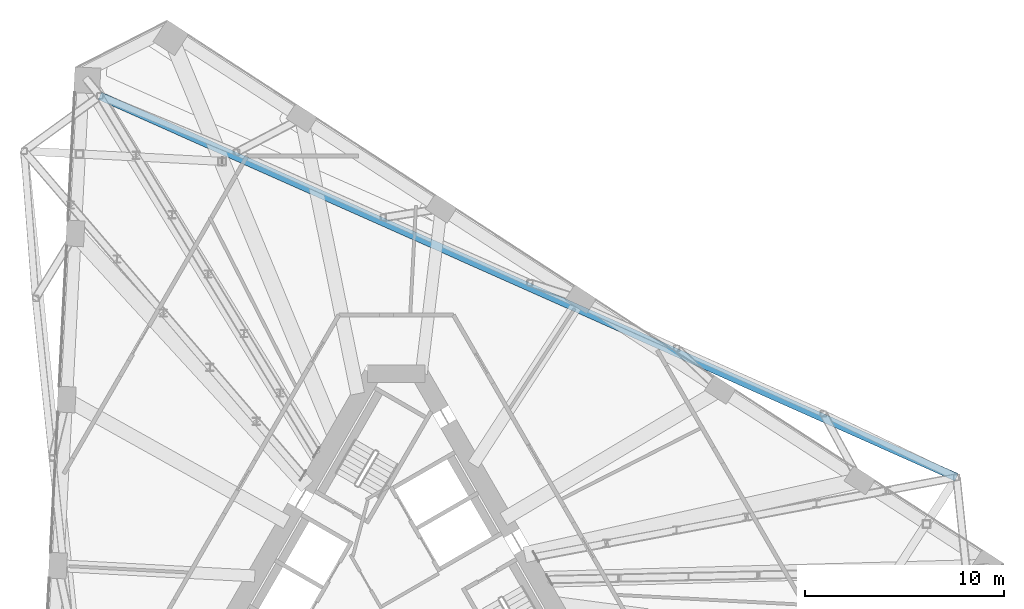
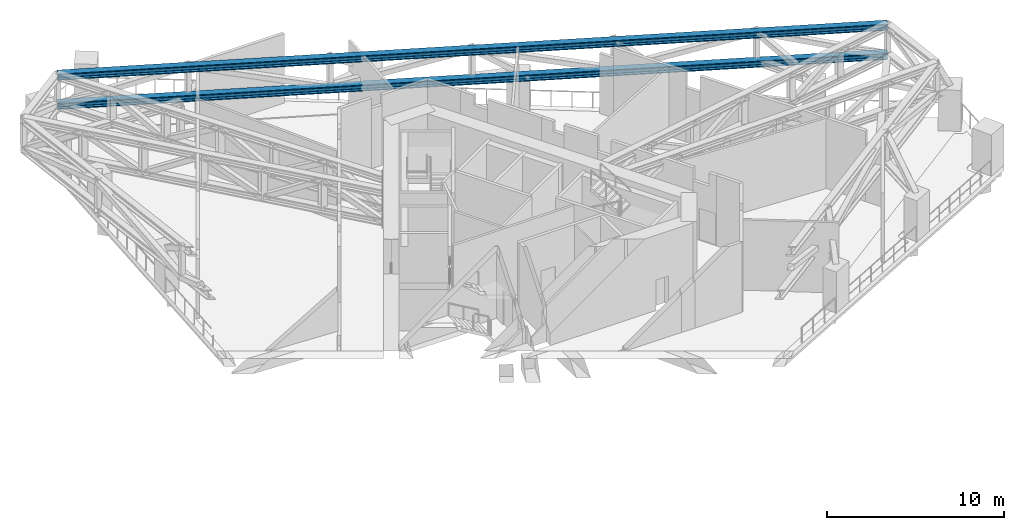
# One storey, part 11 of 26: 2 members.
"""IFC4 building model written with IfcOpenShell, lengths in metres."""

from ifc_helpers import new_model, si_unit, direction, frame, origin, origin_2d, place, context, subcontext, project, spatial, i_section, extrude, material, material_profile, profile_set, type_object, element, save


model = new_model("IFC4")

# Units and contexts
model_context = context("Model", 3, precision=1e-05, world=origin(), true_north=direction((0.0, 1.0)))
body_context = subcontext(model_context, "Body", "Model", "MODEL_VIEW")
ifc_project = project(units=[si_unit("LENGTHUNIT", "METRE"), si_unit("AREAUNIT", "SQUARE_METRE"), si_unit("VOLUMEUNIT", "CUBIC_METRE"), si_unit("PLANEANGLEUNIT", "RADIAN"), si_unit("MASSUNIT", "GRAM", prefix="KILO")], contexts=[model_context])

# Site, building, storey
site_placement = place(None, origin())
site = spatial("IfcSite", under=ifc_project, at=site_placement, CompositionType="ELEMENT")
building_placement = place(site_placement, origin())
building = spatial("IfcBuilding", under=site, at=building_placement, Name="Tramontana Tower", CompositionType="ELEMENT")
storey_placement = place(building_placement, frame((0.0, 0.0, 157.60009765625)))
storey = spatial("IfcBuildingStorey", under=building, at=storey_placement, Name="L36", CompositionType="ELEMENT", Elevation=157.60009765625)

# Members
ifc_material = material(Name="Steel ASTM A992 Grade 50", Category="steel")
ifc_material_profile = material_profile(ifc_material, i_section(OverallWidth=0.412841796875, OverallDepth=0.43505859375, WebThickness=0.03662109375, FlangeThickness=0.05712890625, FilletRadius=0.01513671875, at=origin_2d()), Name="W14X311")
ifc_profile_set = profile_set([ifc_material_profile], Name="Steel ASTM A992 Grade 50")
member_type = type_object("IfcMemberType", Name="Belt truss W14X311 chord", PredefinedType="CHORD", material=ifc_profile_set)
for number, where, z_axis, x_axis, name in (
    (1, (28.20849609375, 5.337890625, 2.617431640625), (-0.913544501277, 0.406738791101, 0.0), (-0.406738791101, -0.913544501277, 0.0), "Belt truss bottom chord S2"),
    (2, (28.20849609375, 5.337890625, 4.63232421875), (-0.913544501277, 0.406738791101, 0.0), (-0.406738791101, -0.913544501277, 0.0), "Belt truss top chord S2"),
):
    element("IfcMember", number, at=place(storey_placement, frame(where, z_axis=z_axis, x_axis=x_axis)), inside=storey, type_object=member_type, Name=name, PredefinedType="CHORD", context=body_context, shape_type="SweptSolid", body=[
        extrude(i_section(OverallWidth=0.412841796875, OverallDepth=0.43505859375, WebThickness=0.03662109375, FlangeThickness=0.05712890625, FilletRadius=0.01513671875, at=origin_2d()), origin(), (0.0, 0.0, 1.0), 47.197509765625),
    ])

save(model, "model.ifc")
